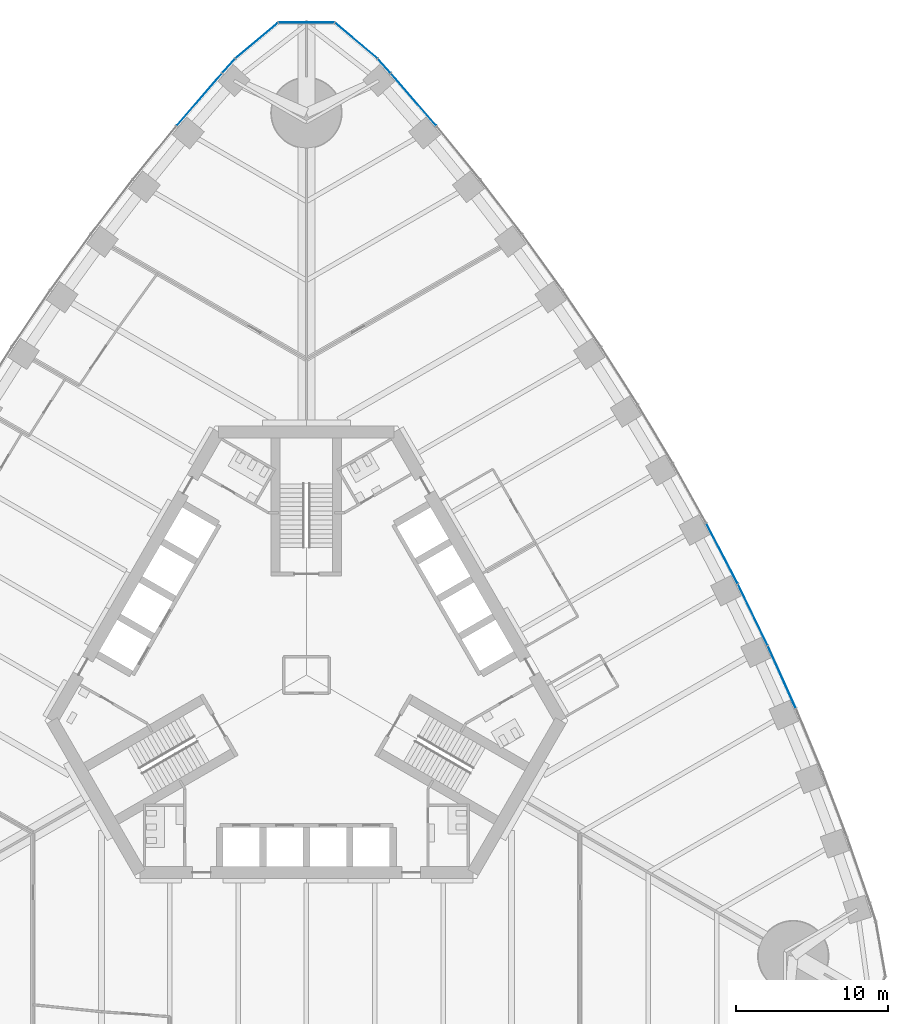
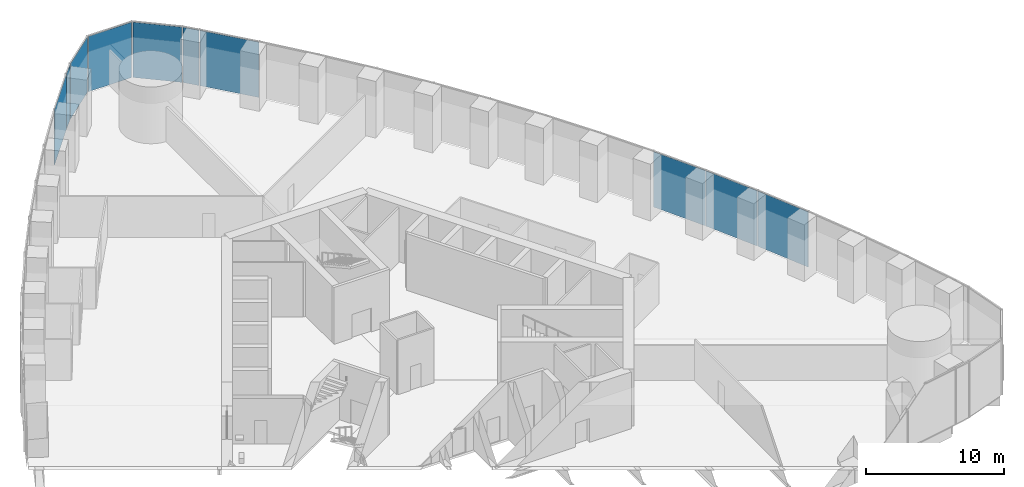
# One storey, part 14 of 21: 10 plates, 3 elements without a shape of their own.
"""IFC4 building model written with IfcOpenShell, lengths in metres."""

from ifc_helpers import new_model, si_unit, direction, frame, origin, origin_2d, place, context, subcontext, project, spatial, rectangle, extrude, material, layer, layer_set, type_object, element, aggregate, save


model = new_model("IFC4")

# Units and contexts
model_context = context("Model", 3, precision=1e-05, world=origin(), true_north=direction((0.0, 1.0)))
body_context = subcontext(model_context, "Body", "Model", "MODEL_VIEW")
ifc_project = project(units=[si_unit("LENGTHUNIT", "METRE"), si_unit("AREAUNIT", "SQUARE_METRE"), si_unit("VOLUMEUNIT", "CUBIC_METRE"), si_unit("PLANEANGLEUNIT", "RADIAN"), si_unit("MASSUNIT", "GRAM", prefix="KILO")], contexts=[model_context])

# Site, building, storey
site_placement = place(None, origin())
site = spatial("IfcSite", under=ifc_project, at=site_placement, CompositionType="ELEMENT")
building_placement = place(site_placement, origin())
building = spatial("IfcBuilding", under=site, at=building_placement, Name="Trefoil Bronze Tower", CompositionType="ELEMENT")
storey_placement = place(building_placement, frame((0.0, 0.0, 11.5)))
storey = spatial("IfcBuildingStorey", under=building, at=storey_placement, Name="L02", CompositionType="ELEMENT", Elevation=11.5)

# Curtain wall, plates
ifc_material_1 = material(Name="Tinted solar-control glass", Category="glass")
curtain_wall_type_1 = type_object("IfcCurtainWallType", Name="Bronze podium storefront curtain wall", PredefinedType="USERDEFINED", material=ifc_material_1)
curtain_wall_1_placement = place(storey_placement, origin())
curtain_wall_1 = element("IfcCurtainWall", 1, at=curtain_wall_1_placement, inside=storey, type_object=curtain_wall_type_1, Name="CW-C L02 F2", ObjectType="CURTAIN WALL", PredefinedType="USERDEFINED")
ifc_material_2 = material(Name="Tinted solar-control glass", Category="glass")
ifc_layer_1 = layer(ifc_material_2, 0.030029296875)
ifc_layer_set_1 = layer_set([ifc_layer_1], Name="Bronze podium storefront curtain wall glass panel")
plate_type_1 = type_object("IfcPlateType", Name="Bronze podium storefront curtain wall glass panel", PredefinedType="CURTAIN_PANEL", material=ifc_layer_set_1)
plate_1_placement = place(storey_placement, frame((31.28857421875, -0.1337890625, 0.0), z_axis=(0.0, 0.0, 1.0), x_axis=(-0.40945635808, 0.912329705111, 0.0)))
plate_1 = element("IfcPlate", 2, at=plate_1_placement, type_object=plate_type_1, Name="CW-C L02 F2 panel 5", PredefinedType="CURTAIN_PANEL", context=body_context, shape_type="SweptSolid", body=[
    extrude(rectangle(XDim=4.46337890625, YDim=0.030029296875, at=origin_2d()), origin(), (0.0, 0.0, 1.0), 4.8798828125),
])
plate_2_placement = place(storey_placement, frame((29.3779296875, 3.962646484375, 0.0), z_axis=(0.0, 0.0, 1.0), x_axis=(-0.4358553457, 0.900016731858, 0.0)))
plate_2 = element("IfcPlate", 3, at=plate_2_placement, type_object=plate_type_1, Name="CW-C L02 F2 panel 6", PredefinedType="CURTAIN_PANEL", context=body_context, shape_type="SweptSolid", body=[
    extrude(rectangle(XDim=4.451904296875, YDim=0.030029296875, at=origin_2d()), origin(), (0.0, 0.0, 1.0), 4.8798828125),
])
plate_3_placement = place(storey_placement, frame((27.353271484375, 7.9931640625, 0.0), z_axis=(0.0, 0.0, 1.0), x_axis=(-0.46182981834, 0.886968555752, 0.0)))
plate_3 = element("IfcPlate", 4, at=plate_3_placement, type_object=plate_type_1, Name="CW-C L02 F2 panel 7", PredefinedType="CURTAIN_PANEL", context=body_context, shape_type="SweptSolid", body=[
    extrude(rectangle(XDim=4.4443359375, YDim=0.030029296875, at=origin_2d()), origin(), (0.0, 0.0, 1.0), 4.8798828125),
])
plate_4_placement = place(storey_placement, frame((7.056396484375, 37.870849609375, 0.0), z_axis=(0.0, 0.0, 1.0), x_axis=(-0.654376090833, 0.756169248083, 0.0)))
plate_4 = element("IfcPlate", 5, at=plate_4_placement, type_object=plate_type_1, Name="CW-C L02 F2 panel 15", PredefinedType="CURTAIN_PANEL", context=body_context, shape_type="SweptSolid", body=[
    extrude(rectangle(XDim=4.522216796875, YDim=0.030029296875, at=origin_2d()), origin(), (0.0, 0.0, 1.0), 4.8798828125),
])
plate_5_placement = place(storey_placement, frame((5.12451171875, 40.08447265625, 0.0), z_axis=(0.0, 0.0, 1.0), x_axis=(-0.668575006272, 0.743644714221, 0.0)))
plate_5 = element("IfcPlate", 6, at=plate_5_placement, type_object=plate_type_1, Name="CW-C L02 F2 panel 16", PredefinedType="CURTAIN_PANEL", context=body_context, shape_type="SweptSolid", body=[
    extrude(rectangle(XDim=1.23046875, YDim=0.030029296875, at=origin_2d()), origin(), (0.0, 0.0, 1.0), 4.8798828125),
])
aggregate(curtain_wall_1, [plate_1, plate_2, plate_3, plate_4, plate_5])

curtain_wall_2_placement = place(storey_placement, origin())
curtain_wall_2 = element("IfcCurtainWall", 7, at=curtain_wall_2_placement, inside=storey, type_object=curtain_wall_type_1, Name="CW-C L02 F3", ObjectType="CURTAIN WALL", PredefinedType="USERDEFINED")
plate_6_placement = place(storey_placement, frame((-5.12451171875, 40.08447265625, 0.0), z_axis=(0.0, 0.0, 1.0), x_axis=(-0.668575006272, -0.743644714221, 0.0)))
plate_6 = element("IfcPlate", 8, at=plate_6_placement, type_object=plate_type_1, Name="CW-C L02 F3 panel 1", PredefinedType="CURTAIN_PANEL", context=body_context, shape_type="SweptSolid", body=[
    extrude(rectangle(XDim=1.23046875, YDim=0.030029296875, at=origin_2d()), origin(), (0.0, 0.0, 1.0), 4.8798828125),
])
plate_7_placement = place(storey_placement, frame((-7.056396484375, 37.870849609375, 0.0), z_axis=(0.0, 0.0, 1.0), x_axis=(-0.654376090833, -0.756169248083, 0.0)))
plate_7 = element("IfcPlate", 9, at=plate_7_placement, type_object=plate_type_1, Name="CW-C L02 F3 panel 2", PredefinedType="CURTAIN_PANEL", context=body_context, shape_type="SweptSolid", body=[
    extrude(rectangle(XDim=4.522216796875, YDim=0.030029296875, at=origin_2d()), origin(), (0.0, 0.0, 1.0), 4.8798828125),
])
aggregate(curtain_wall_2, [plate_6, plate_7])

ifc_material_3 = material(Name="Tinted solar-control glass", Category="glass")
curtain_wall_type_2 = type_object("IfcCurtainWallType", Name="Bronze rounded corner curtain wall", PredefinedType="USERDEFINED", material=ifc_material_3)
curtain_wall_3_placement = place(storey_placement, origin())
curtain_wall_3 = element("IfcCurtainWall", 10, at=curtain_wall_3_placement, inside=storey, type_object=curtain_wall_type_2, Name="CW-B L02 K2", ObjectType="CURTAIN WALL", PredefinedType="USERDEFINED")
ifc_material_4 = material(Name="Tinted solar-control glass", Category="glass")
ifc_layer_2 = layer(ifc_material_4, 0.030029296875)
ifc_layer_set_2 = layer_set([ifc_layer_2], Name="Bronze rounded corner curtain wall glass panel")
plate_type_2 = type_object("IfcPlateType", Name="Bronze rounded corner curtain wall glass panel", PredefinedType="CURTAIN_PANEL", material=ifc_layer_set_2)
plate_8_placement = place(storey_placement, frame((3.28564453125, 41.74658203125, 0.0), z_axis=(0.0, 0.0, 1.0), x_axis=(-0.766044443119, 0.642787609687, 0.0)))
plate_8 = element("IfcPlate", 11, at=plate_8_placement, type_object=plate_type_2, Name="CW-B L02 K2 panel 1", PredefinedType="CURTAIN_PANEL", context=body_context, shape_type="SweptSolid", body=[
    extrude(rectangle(XDim=3.588134765625, YDim=0.030029296875, at=origin_2d()), origin(), (0.0, 0.0, 1.0), 4.8798828125),
])
plate_9_placement = place(storey_placement, frame((0.0, 42.9423828125, 0.0), z_axis=(0.0, 0.0, 1.0), x_axis=(-1.0, 0.0, 0.0)))
plate_9 = element("IfcPlate", 12, at=plate_9_placement, type_object=plate_type_2, Name="CW-B L02 K2 panel 2", PredefinedType="CURTAIN_PANEL", context=body_context, shape_type="SweptSolid", body=[
    extrude(rectangle(XDim=3.588134765625, YDim=0.030029296875, at=origin_2d()), origin(), (0.0, 0.0, 1.0), 4.8798828125),
])
plate_10_placement = place(storey_placement, frame((-3.28564453125, 41.74658203125, 0.0), z_axis=(0.0, 0.0, 1.0), x_axis=(-0.766044443119, -0.642787609687, 0.0)))
plate_10 = element("IfcPlate", 13, at=plate_10_placement, type_object=plate_type_2, Name="CW-B L02 K2 panel 3", PredefinedType="CURTAIN_PANEL", context=body_context, shape_type="SweptSolid", body=[
    extrude(rectangle(XDim=3.588134765625, YDim=0.030029296875, at=origin_2d()), origin(), (0.0, 0.0, 1.0), 4.8798828125),
])
aggregate(curtain_wall_3, [plate_8, plate_9, plate_10])

save(model, "model.ifc")
